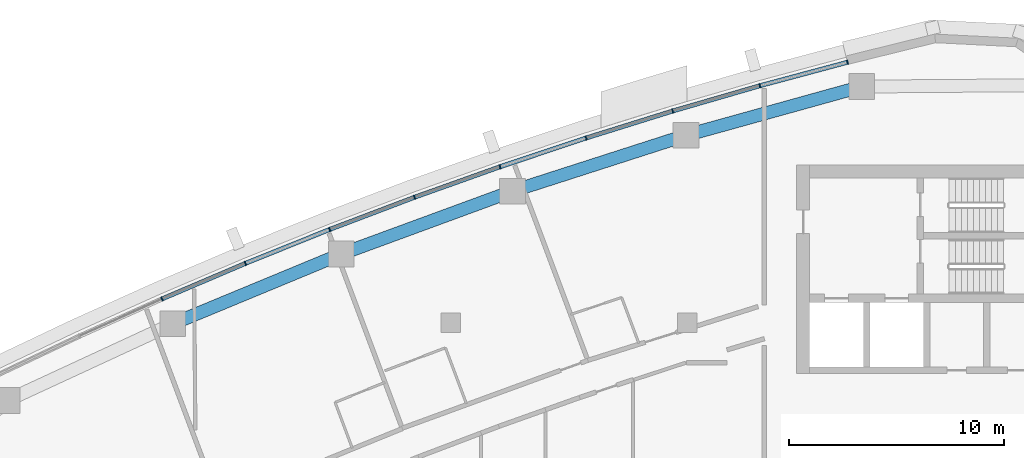
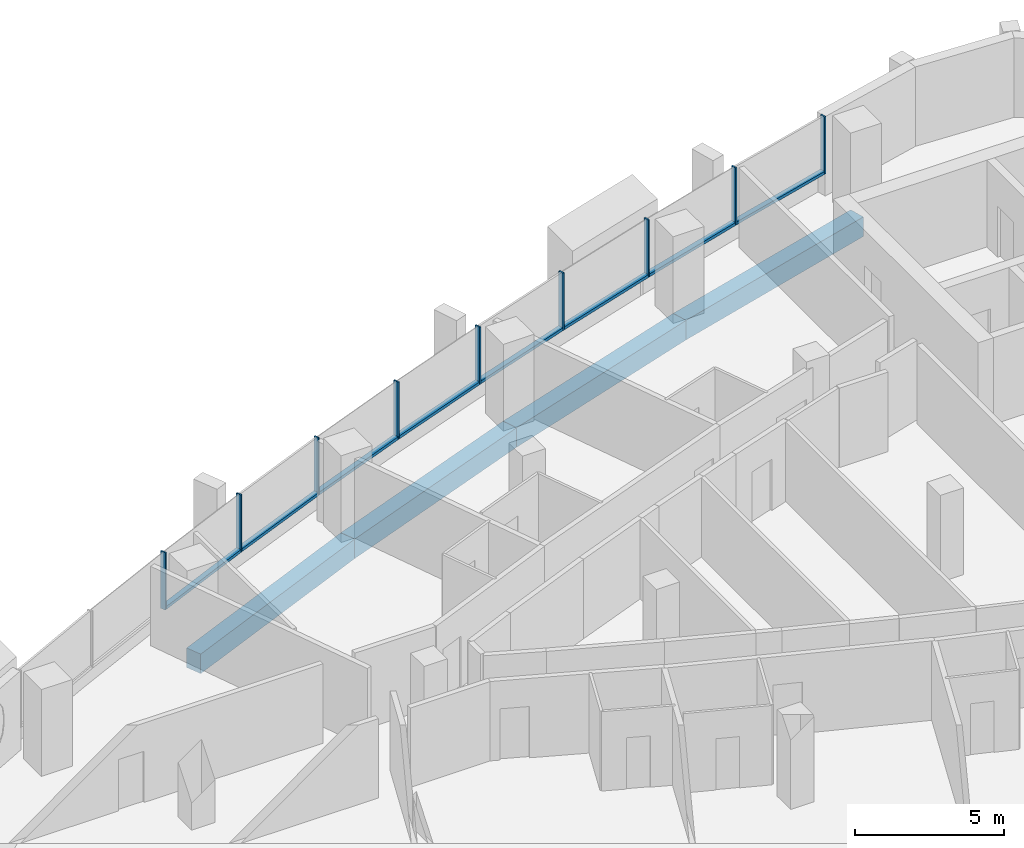
# One storey, part 6 of 15: 17 members, 4 beams, 4 elements without a shape of their own.
"""IFC4 building model written with IfcOpenShell, lengths in metres."""

from ifc_helpers import new_model, si_unit, direction, frame, origin, origin_2d, place, context, subcontext, project, spatial, rectangle, extrude, material, layer, layer_set, material_profile, profile_set, type_object, element, aggregate, save


model = new_model("IFC4")

# Units and contexts
model_context = context("Model", 3, precision=1e-05, world=origin(), true_north=direction((0.0, 1.0)))
body_context = subcontext(model_context, "Body", "Model", "MODEL_VIEW")
ifc_project = project(units=[si_unit("LENGTHUNIT", "METRE"), si_unit("AREAUNIT", "SQUARE_METRE"), si_unit("VOLUMEUNIT", "CUBIC_METRE"), si_unit("PLANEANGLEUNIT", "RADIAN"), si_unit("MASSUNIT", "GRAM", prefix="KILO")], contexts=[model_context])

# Site, building, storey
site_placement = place(None, origin())
site = spatial("IfcSite", under=ifc_project, at=site_placement, CompositionType="ELEMENT")
building_placement = place(site_placement, origin())
building = spatial("IfcBuilding", under=site, at=building_placement, Name="Ostrand Prow Hotel Tower", CompositionType="ELEMENT")
storey_placement = place(building_placement, frame((0.0, 0.0, 242.10009765625)))
storey = spatial("IfcBuildingStorey", under=building, at=storey_placement, Name="L61", CompositionType="ELEMENT", Elevation=242.10009765625)

# Beams
ifc_material_1 = material(Name="Concrete C50/60", Category="concrete")
ifc_material_profile_1 = material_profile(ifc_material_1, rectangle(XDim=0.60009765625, YDim=0.800048828125, at=origin_2d()), Name="RC 600x800")
ifc_profile_set_1 = profile_set([ifc_material_profile_1], Name="Concrete C50/60")
beam_type = type_object("IfcBeamType", Name="Edge beam 600x800 C50/60", PredefinedType="SPANDREL", material=ifc_profile_set_1)
for number, where, z_axis, x_axis, name in (
    (1, (53.12548828125, 19.99951171875, -0.7001953125), (-0.963625802813, -0.267255144297, 0.0), (0.267255144297, -0.963625802813, 0.0), "Edge beam N1-N2"),
    (2, (44.94677734375, 17.731201171875, -0.7001953125), (-0.95193933362, -0.306286638798, 0.0), (0.306286638798, -0.95193933362, 0.0), "Edge beam N2-N3"),
    (3, (36.8671875, 15.131591796875, -0.7001953125), (-0.938684959139, -0.344776083113, 0.0), (0.344776083113, -0.938684959139, 0.0), "Edge beam N3-N4"),
    (4, (28.900146484375, 12.205322265625, -0.7001953125), (-0.923890977326, -0.38265580097, 0.0), (0.38265580097, -0.923890977326, 0.0), "Edge beam N4-N5"),
):
    element("IfcBeam", number, at=place(storey_placement, frame(where, z_axis=z_axis, x_axis=x_axis)), inside=storey, type_object=beam_type, Name=name, PredefinedType="SPANDREL", context=body_context, shape_type="SweptSolid", body=[
        extrude(rectangle(XDim=0.60009765625, YDim=0.800048828125, at=origin_2d()), origin(), (0.0, 0.0, 1.0), 8.487548828125),
    ])

# Curtain wall, members
ifc_material_2 = material(Name="Insulated glass in bronze anodised frame", Category="glass")
ifc_layer = layer(ifc_material_2, 0.199951171875)
ifc_layer_set = layer_set([ifc_layer], Name="Insulated glass in bronze anodised frame")
curtain_wall_type = type_object("IfcCurtainWallType", Name="Strip curtain wall, fritted glass over bronze spandrel", PredefinedType="NOTDEFINED", material=ifc_layer_set)
curtain_wall_1_placement = place(storey_placement, origin())
curtain_wall_1 = element("IfcCurtainWall", 5, at=curtain_wall_1_placement, inside=storey, type_object=curtain_wall_type, Name="CW1 run CWN1", PredefinedType="NOTDEFINED")
ifc_material_3 = material(Name="Bronze anodised aluminium", Category="aluminium")
ifc_material_profile_2 = material_profile(ifc_material_3, rectangle(XDim=0.199951171875, YDim=0.06005859375, at=origin_2d()), Name="Mullion 60x200 bronze anodised aluminium")
ifc_profile_set_2 = profile_set([ifc_material_profile_2], Name="Bronze anodised aluminium")
member_type_1 = type_object("IfcMemberType", Name="Mullion 60x200 bronze anodised aluminium", PredefinedType="MULLION", material=ifc_profile_set_2)
member_1_placement = place(storey_placement, frame((52.465576171875, 21.1328125, 0.89990234375), z_axis=(0.0, 0.0, 1.0), x_axis=(0.258994370132, -0.965878831034, 0.0)))
member_1 = element("IfcMember", 6, at=member_1_placement, type_object=member_type_1, Name="CW1 mullion 1", PredefinedType="MULLION", context=body_context, shape_type="SweptSolid", body=[
    extrude(rectangle(XDim=0.199951171875, YDim=0.06005859375, at=origin_2d()), origin(), (0.0, 0.0, 1.0), 2.35009765625),
])
member_2_placement = place(storey_placement, frame((48.385986328125, 20.038818359375, 0.89990234375), z_axis=(0.0, 0.0, 1.0), x_axis=(0.27839270969, -0.960467333745, 0.0)))
member_2 = element("IfcMember", 7, at=member_2_placement, type_object=member_type_1, Name="CW1 mullion 2", PredefinedType="MULLION", context=body_context, shape_type="SweptSolid", body=[
    extrude(rectangle(XDim=0.199951171875, YDim=0.06005859375, at=origin_2d()), origin(), (0.0, 0.0, 1.0), 2.35009765625),
])
member_3_placement = place(storey_placement, frame((44.3291015625, 18.863037109375, 0.89990234375), z_axis=(0.0, 0.0, 1.0), x_axis=(0.27839270969, -0.960467333745, 0.0)))
member_3 = element("IfcMember", 8, at=member_3_placement, type_object=member_type_1, Name="CW1 mullion 3", PredefinedType="MULLION", context=body_context, shape_type="SweptSolid", body=[
    extrude(rectangle(XDim=0.199951171875, YDim=0.06005859375, at=origin_2d()), origin(), (0.0, 0.0, 1.0), 2.35009765625),
])

curtain_wall_2_placement = place(storey_placement, origin())
curtain_wall_2 = element("IfcCurtainWall", 9, at=curtain_wall_2_placement, inside=storey, type_object=curtain_wall_type, Name="CW1 run CWN2", PredefinedType="NOTDEFINED")
member_4_placement = place(storey_placement, frame((40.297119140625, 17.605712890625, 0.89990234375), z_axis=(0.0, 0.0, 1.0), x_axis=(0.31684118017, -0.948478606268, 0.0)))
member_4 = element("IfcMember", 10, at=member_4_placement, type_object=member_type_1, Name="CW1 mullion 2", PredefinedType="MULLION", context=body_context, shape_type="SweptSolid", body=[
    extrude(rectangle(XDim=0.199951171875, YDim=0.06005859375, at=origin_2d()), origin(), (0.0, 0.0, 1.0), 2.35009765625),
])
member_5_placement = place(storey_placement, frame((36.291015625, 16.267578125, 0.89990234375), z_axis=(0.0, 0.0, 1.0), x_axis=(0.31684118017, -0.948478606268, 0.0)))
member_5 = element("IfcMember", 11, at=member_5_placement, type_object=member_type_1, Name="CW1 mullion 3", PredefinedType="MULLION", context=body_context, shape_type="SweptSolid", body=[
    extrude(rectangle(XDim=0.199951171875, YDim=0.06005859375, at=origin_2d()), origin(), (0.0, 0.0, 1.0), 2.35009765625),
])

curtain_wall_3_placement = place(storey_placement, origin())
curtain_wall_3 = element("IfcCurtainWall", 12, at=curtain_wall_3_placement, inside=storey, type_object=curtain_wall_type, Name="CW1 run CWN3", PredefinedType="NOTDEFINED")
member_6_placement = place(storey_placement, frame((32.3125, 14.848876953125, 0.89990234375), z_axis=(0.0, 0.0, 1.0), x_axis=(0.354777361469, -0.934950813567, 0.0)))
member_6 = element("IfcMember", 13, at=member_6_placement, type_object=member_type_1, Name="CW1 mullion 2", PredefinedType="MULLION", context=body_context, shape_type="SweptSolid", body=[
    extrude(rectangle(XDim=0.199951171875, YDim=0.06005859375, at=origin_2d()), origin(), (0.0, 0.0, 1.0), 2.35009765625),
])
member_7_placement = place(storey_placement, frame((28.363525390625, 13.350341796875, 0.89990234375), z_axis=(0.0, 0.0, 1.0), x_axis=(0.354777361469, -0.934950813567, 0.0)))
member_7 = element("IfcMember", 14, at=member_7_placement, type_object=member_type_1, Name="CW1 mullion 3", PredefinedType="MULLION", context=body_context, shape_type="SweptSolid", body=[
    extrude(rectangle(XDim=0.199951171875, YDim=0.06005859375, at=origin_2d()), origin(), (0.0, 0.0, 1.0), 2.35009765625),
])

curtain_wall_4_placement = place(storey_placement, origin())
curtain_wall_4 = element("IfcCurtainWall", 15, at=curtain_wall_4_placement, inside=storey, type_object=curtain_wall_type, Name="CW1 run CWN4", PredefinedType="NOTDEFINED")
member_8_placement = place(storey_placement, frame((24.445556640625, 11.772705078125, 0.89990234375), z_axis=(0.0, 0.0, 1.0), x_axis=(0.392136433347, -0.919907070112, 0.0)))
member_8 = element("IfcMember", 16, at=member_8_placement, type_object=member_type_1, Name="CW1 mullion 2", PredefinedType="MULLION", context=body_context, shape_type="SweptSolid", body=[
    extrude(rectangle(XDim=0.199951171875, YDim=0.06005859375, at=origin_2d()), origin(), (0.0, 0.0, 1.0), 2.35009765625),
])
member_9_placement = place(storey_placement, frame((20.56005859375, 10.116455078125, 0.89990234375), z_axis=(0.0, 0.0, 1.0), x_axis=(0.392136433347, -0.919907070112, 0.0)))
member_9 = element("IfcMember", 17, at=member_9_placement, type_object=member_type_1, Name="CW1 mullion 3", PredefinedType="MULLION", context=body_context, shape_type="SweptSolid", body=[
    extrude(rectangle(XDim=0.199951171875, YDim=0.06005859375, at=origin_2d()), origin(), (0.0, 0.0, 1.0), 2.35009765625),
])

# Member
ifc_material_4 = material(Name="Bronze anodised aluminium", Category="aluminium")
ifc_material_profile_3 = material_profile(ifc_material_4, rectangle(XDim=0.199951171875, YDim=0.1201171875, at=origin_2d()), Name="Transom 120x200 bronze anodised aluminium")
ifc_profile_set_3 = profile_set([ifc_material_profile_3], Name="Bronze anodised aluminium")
member_type_2 = type_object("IfcMemberType", Name="Transom 120x200 bronze anodised aluminium", PredefinedType="USERDEFINED", material=ifc_profile_set_3)
member_10_placement = place(storey_placement, frame((52.4365234375, 21.125, 0.9599609375), z_axis=(-0.96587683346, -0.259001819657, 0.0), x_axis=(0.259001819657, -0.96587683346, 0.0)))
member_10 = element("IfcMember", 18, at=member_10_placement, type_object=member_type_2, Name="CW1 transom 1.1", ObjectType="TRANSOM", PredefinedType="USERDEFINED", context=body_context, shape_type="SweptSolid", body=[
    extrude(rectangle(XDim=0.199951171875, YDim=0.1201171875, at=origin_2d()), origin(), (0.0, 0.0, 1.0), 4.16357421875),
])

member_11_placement = place(storey_placement, frame((48.357177734375, 20.030517578125, 0.9599609375), z_axis=(-0.960468183791, -0.278389776976, 0.0), x_axis=(0.278389776976, -0.960468183791, 0.0)))
member_11 = element("IfcMember", 19, at=member_11_placement, type_object=member_type_2, Name="CW1 transom 2.1", ObjectType="TRANSOM", PredefinedType="USERDEFINED", context=body_context, shape_type="SweptSolid", body=[
    extrude(rectangle(XDim=0.199951171875, YDim=0.1201171875, at=origin_2d()), origin(), (0.0, 0.0, 1.0), 4.163818359375),
])

aggregate(curtain_wall_1, [member_1, member_2, member_3, member_10, member_11])

member_12_placement = place(storey_placement, frame((44.300537109375, 18.85400390625, 0.9599609375), z_axis=(-0.954676966691, -0.297643896746, 0.0), x_axis=(0.297643896746, -0.954676966691, 0.0)))
member_12 = element("IfcMember", 20, at=member_12_placement, type_object=member_type_2, Name="CW1 transom 1.1", ObjectType="TRANSOM", PredefinedType="USERDEFINED", context=body_context, shape_type="SweptSolid", body=[
    extrude(rectangle(XDim=0.199951171875, YDim=0.1201171875, at=origin_2d()), origin(), (0.0, 0.0, 1.0), 4.16357421875),
])

member_13_placement = place(storey_placement, frame((40.2685546875, 17.59619140625, 0.9599609375), z_axis=(-0.948489622939, -0.316808199353, 0.0), x_axis=(0.316808199353, -0.948489622939, 0.0)))
member_13 = element("IfcMember", 21, at=member_13_placement, type_object=member_type_2, Name="CW1 transom 2.1", ObjectType="TRANSOM", PredefinedType="USERDEFINED", context=body_context, shape_type="SweptSolid", body=[
    extrude(rectangle(XDim=0.199951171875, YDim=0.1201171875, at=origin_2d()), origin(), (0.0, 0.0, 1.0), 4.16357421875),
])

aggregate(curtain_wall_2, [member_4, member_5, member_12, member_13])

member_14_placement = place(storey_placement, frame((36.2626953125, 16.25732421875, 0.9599609375), z_axis=(-0.941911594104, -0.335860907061, 0.0), x_axis=(0.335860907061, -0.941911594104, 0.0)))
member_14 = element("IfcMember", 22, at=member_14_placement, type_object=member_type_2, Name="CW1 transom 1.1", ObjectType="TRANSOM", PredefinedType="USERDEFINED", context=body_context, shape_type="SweptSolid", body=[
    extrude(rectangle(XDim=0.199951171875, YDim=0.1201171875, at=origin_2d()), origin(), (0.0, 0.0, 1.0), 4.163818359375),
])

member_15_placement = place(storey_placement, frame((32.284423828125, 14.838134765625, 0.9599609375), z_axis=(-0.934960644813, -0.354751451936, 0.0), x_axis=(0.354751451936, -0.934960644813, 0.0)))
member_15 = element("IfcMember", 23, at=member_15_placement, type_object=member_type_2, Name="CW1 transom 2.1", ObjectType="TRANSOM", PredefinedType="USERDEFINED", context=body_context, shape_type="SweptSolid", body=[
    extrude(rectangle(XDim=0.199951171875, YDim=0.1201171875, at=origin_2d()), origin(), (0.0, 0.0, 1.0), 4.16357421875),
])

aggregate(curtain_wall_3, [member_6, member_7, member_14, member_15])

member_16_placement = place(storey_placement, frame((28.335693359375, 13.339111328125, 0.9599609375), z_axis=(-0.927625049372, -0.373512741119, 0.0), x_axis=(0.373512741119, -0.927625049372, 0.0)))
member_16 = element("IfcMember", 24, at=member_16_placement, type_object=member_type_2, Name="CW1 transom 1.1", ObjectType="TRANSOM", PredefinedType="USERDEFINED", context=body_context, shape_type="SweptSolid", body=[
    extrude(rectangle(XDim=0.199951171875, YDim=0.1201171875, at=origin_2d()), origin(), (0.0, 0.0, 1.0), 4.16357421875),
])

member_17_placement = place(storey_placement, frame((24.41796875, 11.760986328125, 0.9599609375), z_axis=(-0.919904541337, -0.392142365509, 0.0), x_axis=(0.392142365509, -0.919904541337, 0.0)))
member_17 = element("IfcMember", 25, at=member_17_placement, type_object=member_type_2, Name="CW1 transom 2.1", ObjectType="TRANSOM", PredefinedType="USERDEFINED", context=body_context, shape_type="SweptSolid", body=[
    extrude(rectangle(XDim=0.199951171875, YDim=0.1201171875, at=origin_2d()), origin(), (0.0, 0.0, 1.0), 4.163818359375),
])

aggregate(curtain_wall_4, [member_8, member_9, member_16, member_17])

save(model, "model.ifc")
